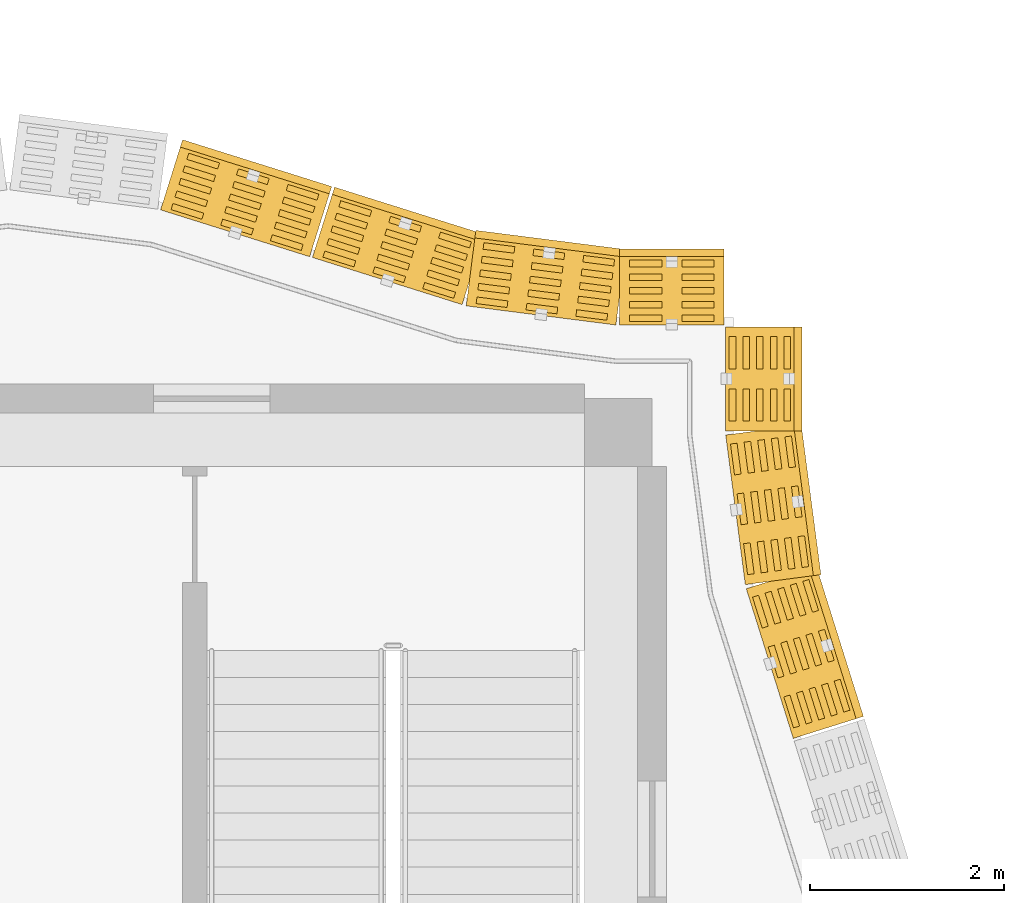
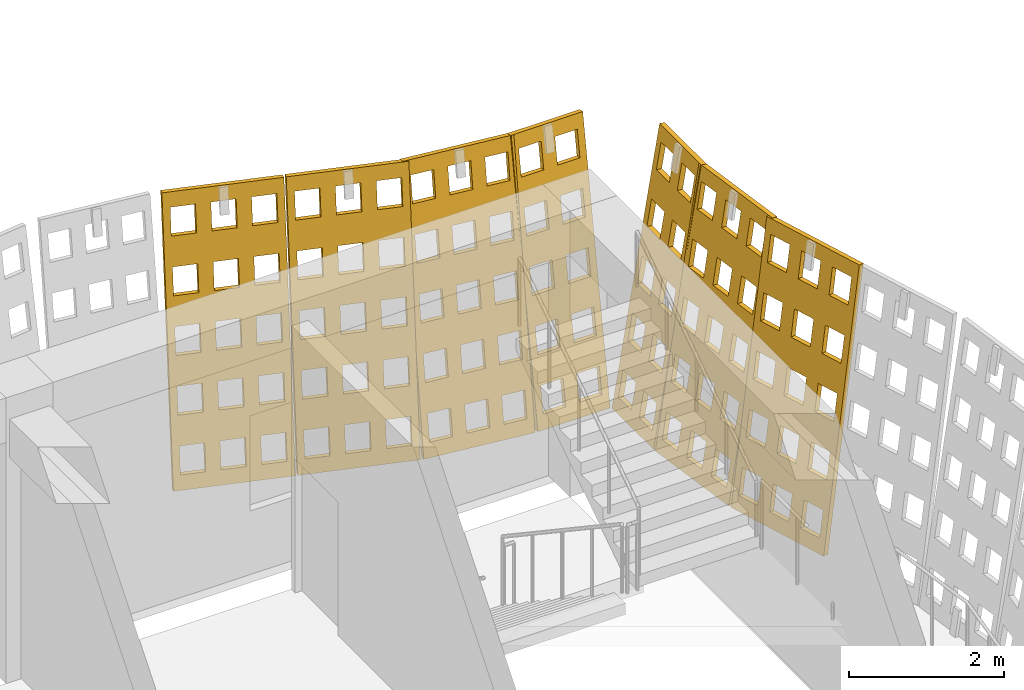
# One storey, part 163 of 163: 7 coverings.
"""IFC4 building model written with IfcOpenShell, lengths in metres."""

import ifcopenshell
import ifcopenshell.guid

model = None  # the IFC model being written
_history = None  # IfcOwnerHistory: only IFC2X3 demands one
_inside = {}  # id of a spatial element -> (the spatial element, [elements in it])
_under = {}  # id of a project, library or spatial element -> (it, [spatial elements below it])
_declared = {}  # id of a project -> (the project, [libraries it declares])
_typed = {}  # id of a type object -> (the type object, [elements of that type])
_made_of = {}  # id of a material, layer set ... -> (it, [elements and type objects made of it])


def new_model(schema):
    """Start an empty IFC model of exactly this schema.

    Asked for "IFC4X3", IfcOpenShell would pick the latest addendum, in which some entities
    have other attributes; the version numbers below select the first issue.
    IFC2X3 requires an IfcOwnerHistory on every rooted entity: one is made here for all.
    """
    global model, _history
    if schema == "IFC4X3":
        model = ifcopenshell.file(schema_version=(4, 3, 0, 0))
    else:
        model = ifcopenshell.file(schema=schema)
    _inside.clear()
    _under.clear()
    _declared.clear()
    _typed.clear()
    _made_of.clear()
    _history = None
    if model.schema == "IFC2X3":
        org = make("IfcOrganization", Name="unknown")
        user = make(
            "IfcPersonAndOrganization",
            ThePerson=make("IfcPerson", FamilyName="unknown"),
            TheOrganization=org,
        )
        app = make(
            "IfcApplication",
            ApplicationDeveloper=org,
            Version="unknown",
            ApplicationFullName="unknown",
            ApplicationIdentifier="unknown",
        )
        _history = make(
            "IfcOwnerHistory",
            OwningUser=user,
            OwningApplication=app,
            ChangeAction="ADDED",
            CreationDate=0,
        )
    return model


def make(cls, **values):
    """One entity of the class cls with the attributes given. An attribute that is None is left unset."""
    return model.create_entity(
        cls, **{name: value for name, value in values.items() if value is not None}
    )


def rooted(cls, **values):
    """An entity with a GlobalId (a new one), such as an element, a storey or a relation."""
    return make(cls, GlobalId=ifcopenshell.guid.new(), OwnerHistory=_history, **values)


def si_unit(unit_type, name, prefix=None):
    """IfcSIUnit, for example si_unit("LENGTHUNIT", "METRE", prefix="MILLI")."""
    return make("IfcSIUnit", UnitType=unit_type, Prefix=prefix, Name=name)


def assignment(units):
    """IfcUnitAssignment: the units of a project."""
    return None if units is None else make("IfcUnitAssignment", Units=units)


def point(xyz):
    """IfcCartesianPoint."""
    return None if xyz is None else make("IfcCartesianPoint", Coordinates=xyz)


def direction(xyz):
    """IfcDirection."""
    return None if xyz is None else make("IfcDirection", DirectionRatios=xyz)


def frame(location, z_axis=None, x_axis=None):
    """IfcAxis2Placement3D, a coordinate frame: its origin and axes. An axis left out is left unset."""
    return make(
        "IfcAxis2Placement3D",
        Location=point(location),
        Axis=direction(z_axis),
        RefDirection=direction(x_axis),
    )


def origin():
    """The frame at (0, 0, 0) with its axes left unset."""
    return frame((0.0, 0.0, 0.0))


def place(relative_to, where):
    """IfcLocalPlacement: puts the frame where relative to a parent placement (None: the world)."""
    return make(
        "IfcLocalPlacement", PlacementRelTo=relative_to, RelativePlacement=where
    )


def context(
    kind, dimensions, precision=None, world=None, true_north=None, identifier=None
):
    """IfcGeometricRepresentationContext, for example the 3D "Model" context."""
    return make(
        "IfcGeometricRepresentationContext",
        ContextIdentifier=identifier,
        ContextType=kind,
        CoordinateSpaceDimension=dimensions,
        Precision=precision,
        WorldCoordinateSystem=world,
        TrueNorth=true_north,
    )


def subcontext(parent, identifier, kind, view, scale=None):
    """IfcGeometricRepresentationSubContext, for example "Body" below "Model"."""
    return make(
        "IfcGeometricRepresentationSubContext",
        ContextIdentifier=identifier,
        ContextType=kind,
        ParentContext=parent,
        TargetScale=scale,
        TargetView=view,
    )


def project(units=None, contexts=None):
    """IfcProject with its units and contexts."""
    return rooted(
        "IfcProject",
        Name="project",
        RepresentationContexts=contexts,
        UnitsInContext=assignment(units),
    )


def spatial(cls, under=None, at=None, **own):
    """A site, building, storey or space (cls), placed at a placement, below another one or the project."""
    s = rooted(cls, ObjectPlacement=at, **own)
    if under is not None:
        _under.setdefault(under.id(), (under, []))[1].append(s)
    return s


def polyline(points):
    """IfcPolyline through the points."""
    return make("IfcPolyline", Points=[point(p) for p in points])


def outline(outer, holes=None, kind="AREA"):
    """IfcArbitraryClosedProfileDef: a profile drawn as a closed curve; with holes, ...WithVoids."""
    if holes is None:
        return make("IfcArbitraryClosedProfileDef", ProfileType=kind, OuterCurve=outer)
    return make(
        "IfcArbitraryProfileDefWithVoids",
        ProfileType=kind,
        OuterCurve=outer,
        InnerCurves=holes,
    )


def extrude(swept, where, along, depth):
    """IfcExtrudedAreaSolid: the profile swept, set in the frame where, extruded along a direction by depth."""
    return make(
        "IfcExtrudedAreaSolid",
        SweptArea=swept,
        Position=where,
        ExtrudedDirection=direction(along),
        Depth=depth,
    )


def shape(context_of_items, identifier, shape_type, items):
    """IfcShapeRepresentation: the items that make up one representation, for example the "Body"."""
    return make(
        "IfcShapeRepresentation",
        ContextOfItems=context_of_items,
        RepresentationIdentifier=identifier,
        RepresentationType=shape_type,
        Items=items,
    )


def material(Name=None, Category=None):
    """IfcMaterial."""
    return make("IfcMaterial", Name=Name, Category=Category)


def layer(
    of_material, thickness, ventilated=None, Name=None, Category=None, Priority=None
):
    """IfcMaterialLayer: one layer of a wall or slab, of a material (None: an air gap)."""
    return make(
        "IfcMaterialLayer",
        Material=of_material,
        LayerThickness=thickness,
        IsVentilated=ventilated,
        Name=Name,
        Category=Category,
        Priority=Priority,
    )


def layer_set(layers, Name=None):
    """IfcMaterialLayerSet."""
    return make("IfcMaterialLayerSet", MaterialLayers=layers, LayerSetName=Name)


def made_of(thing, what):
    """Note that an element or type object is made of a material, layer set ...; save() writes the relation."""
    if what is not None:
        _made_of.setdefault(what.id(), (what, []))[1].append(thing)
    return thing


def type_object(cls, material=None, **own):
    """A type object (cls), such as IfcWallType, which elements share."""
    return made_of(rooted(cls, **own), material)


def element(
    cls,
    number,
    at=None,
    inside=None,
    cuts=None,
    type_object=None,
    material=None,
    context=None,
    identifier="Body",
    shape_type=None,
    held_by="IfcProductDefinitionShape",
    body=None,
    shapes=None,
    **own,
):
    """One element of the class cls, such as IfcWall. Its Tag is "e" and its number.

    at: its placement. inside: the storey or other place that contains it. cuts: it is an
    opening in that element (IfcRelVoidsElement). A single representation is given by context,
    identifier, shape_type and body (its items); several are given by shapes. held_by: the class
    of the entity that holds the representations. save() writes the other relations.
    """
    e = rooted(cls, Tag="e%d" % number, ObjectPlacement=at, **own)
    if body is not None:
        shapes = [shape(context, identifier, shape_type, body)]
    if shapes is not None:
        e.Representation = make(held_by, Representations=shapes)
    if inside is not None:
        _inside.setdefault(inside.id(), (inside, []))[1].append(e)
    if cuts is not None:
        rooted(
            "IfcRelVoidsElement", RelatingBuildingElement=cuts, RelatedOpeningElement=e
        )
    if type_object is not None:
        _typed.setdefault(type_object.id(), (type_object, []))[1].append(e)
    return made_of(e, material)


def aggregate(whole, parts):
    """IfcRelAggregates: a whole, such as a stair, and the parts it consists of."""
    return rooted("IfcRelAggregates", RelatingObject=whole, RelatedObjects=parts)


def save(model, path):
    """Write the relations noted so far, then the file.

    IfcRelAggregates (storeys below a building ...), IfcRelContainedInSpatialStructure (elements
    in a storey), IfcRelDefinesByType, IfcRelAssociatesMaterial and IfcRelDeclares: one each for
    every whole, place, type object, material and project.
    """
    for whole, parts in _under.values():
        aggregate(whole, parts)
    for where, things in _inside.values():
        rooted(
            "IfcRelContainedInSpatialStructure",
            RelatedElements=things,
            RelatingStructure=where,
        )
    for kind, things in _typed.values():
        rooted("IfcRelDefinesByType", RelatedObjects=things, RelatingType=kind)
    for what, things in _made_of.values():
        rooted("IfcRelAssociatesMaterial", RelatedObjects=things, RelatingMaterial=what)
    for by, libraries in _declared.values():
        rooted("IfcRelDeclares", RelatingContext=by, RelatedDefinitions=libraries)
    model.write(path)


model = new_model("IFC4")

# Units and contexts
model_context = context("Model", 3, precision=1e-05, world=origin(), true_north=direction((0.0, 1.0)))
body_context = subcontext(model_context, "Body", "Model", "MODEL_VIEW")
ifc_project = project(units=[si_unit("LENGTHUNIT", "METRE"), si_unit("AREAUNIT", "SQUARE_METRE"), si_unit("VOLUMEUNIT", "CUBIC_METRE"), si_unit("PLANEANGLEUNIT", "RADIAN"), si_unit("MASSUNIT", "GRAM", prefix="KILO")], contexts=[model_context])

# Site, building, storey
site_placement = place(None, origin())
site = spatial("IfcSite", under=ifc_project, at=site_placement, CompositionType="ELEMENT")
building_placement = place(site_placement, origin())
building = spatial("IfcBuilding", under=site, at=building_placement, Name="Rain Tree Exposition and Congress Centre", CompositionType="ELEMENT")
storey_placement = place(building_placement, frame((0.0, 0.0, 10.5)))
storey = spatial("IfcBuildingStorey", under=building, at=storey_placement, Name="L02", CompositionType="ELEMENT", Elevation=10.5)

# Coverings
ifc_material = material(Name="Perforated terracotta", Category="masonry")
ifc_layer = layer(ifc_material, 0.080078125)
ifc_layer_set = layer_set([ifc_layer], Name="Perforated terracotta")
covering_type = type_object("IfcCoveringType", Name="Terracotta screen 80", PredefinedType="CLADDING", material=ifc_layer_set)
covering_1_placement = place(storey_placement, frame((52.28759765625, 47.25, 0.0), z_axis=(-0.942029390639, -0.295717964052, 0.158529217842), x_axis=(0.29950542383, -0.954094597562, 0.0)))
element("IfcCovering", 1, at=covering_1_placement, inside=storey, type_object=covering_type, Name="wing/screen/L02/065", PredefinedType="CLADDING", context=body_context, shape_type="SweptSolid", body=[
    extrude(outline(polyline([(-1.635986328125, 0.0), (-1.635986328125, 4.291259765625), (-0.014892578125, 4.291259765625), (-0.014892578125, 0.0), (-1.635986328125, 0.0)]), holes=[polyline([(-0.11767578125, 0.221435546875), (-0.11767578125, 0.63671875), (-0.45263671875, 0.63671875), (-0.45263671875, 0.221435546875), (-0.11767578125, 0.221435546875)]), polyline([(-0.11767578125, 1.07958984375), (-0.11767578125, 1.4951171875), (-0.45263671875, 1.4951171875), (-0.45263671875, 1.07958984375), (-0.11767578125, 1.07958984375)]), polyline([(-0.11767578125, 1.93798828125), (-0.11767578125, 2.353271484375), (-0.45263671875, 2.353271484375), (-0.45263671875, 1.93798828125), (-0.11767578125, 1.93798828125)]), polyline([(-0.11767578125, 2.796142578125), (-0.11767578125, 3.21142578125), (-0.45263671875, 3.21142578125), (-0.45263671875, 2.796142578125), (-0.11767578125, 2.796142578125)]), polyline([(-0.11767578125, 3.654541015625), (-0.11767578125, 4.06982421875), (-0.45263671875, 4.06982421875), (-0.45263671875, 3.654541015625), (-0.11767578125, 3.654541015625)]), polyline([(-0.657958984375, 0.221435546875), (-0.657958984375, 0.63671875), (-0.992919921875, 0.63671875), (-0.992919921875, 0.221435546875), (-0.657958984375, 0.221435546875)]), polyline([(-0.657958984375, 1.07958984375), (-0.657958984375, 1.4951171875), (-0.992919921875, 1.4951171875), (-0.992919921875, 1.07958984375), (-0.657958984375, 1.07958984375)]), polyline([(-0.657958984375, 1.93798828125), (-0.657958984375, 2.353271484375), (-0.992919921875, 2.353271484375), (-0.992919921875, 1.93798828125), (-0.657958984375, 1.93798828125)]), polyline([(-0.657958984375, 2.796142578125), (-0.657958984375, 3.21142578125), (-0.992919921875, 3.21142578125), (-0.992919921875, 2.796142578125), (-0.657958984375, 2.796142578125)]), polyline([(-0.657958984375, 3.654541015625), (-0.657958984375, 4.06982421875), (-0.992919921875, 4.06982421875), (-0.992919921875, 3.654541015625), (-0.657958984375, 3.654541015625)]), polyline([(-1.1982421875, 0.221435546875), (-1.1982421875, 0.63671875), (-1.533203125, 0.63671875), (-1.533203125, 0.221435546875), (-1.1982421875, 0.221435546875)]), polyline([(-1.1982421875, 1.07958984375), (-1.1982421875, 1.4951171875), (-1.533203125, 1.4951171875), (-1.533203125, 1.07958984375), (-1.1982421875, 1.07958984375)]), polyline([(-1.1982421875, 1.93798828125), (-1.1982421875, 2.353271484375), (-1.533203125, 2.353271484375), (-1.533203125, 1.93798828125), (-1.1982421875, 1.93798828125)]), polyline([(-1.1982421875, 2.796142578125), (-1.1982421875, 3.21142578125), (-1.533203125, 3.21142578125), (-1.533203125, 2.796142578125), (-1.1982421875, 2.796142578125)]), polyline([(-1.1982421875, 3.654541015625), (-1.1982421875, 4.06982421875), (-1.533203125, 4.06982421875), (-1.533203125, 3.654541015625), (-1.1982421875, 3.654541015625)])]), origin(), (0.0, 0.0, 1.0), 0.080078125),
])
covering_2_placement = place(storey_placement, frame((51.79248046875, 48.824951171875, 0.0), z_axis=(-0.9779030419, -0.128349774249, 0.165021138321), x_axis=(0.130133906157, -0.991496427865, 0.0)))
element("IfcCovering", 2, at=covering_2_placement, inside=storey, type_object=covering_type, Name="wing/screen/L02/066", PredefinedType="CLADDING", context=body_context, shape_type="SweptSolid", body=[
    extrude(outline(polyline([(-1.5732421875, 0.0), (-1.5732421875, 4.295166015625), (-0.014892578125, 4.295166015625), (-0.014892578125, 0.0), (-1.5732421875, 0.0)]), holes=[polyline([(-0.11376953125, 0.2216796875), (-0.11376953125, 0.63720703125), (-0.435791015625, 0.63720703125), (-0.435791015625, 0.2216796875), (-0.11376953125, 0.2216796875)]), polyline([(-0.11376953125, 1.080810546875), (-0.11376953125, 1.496337890625), (-0.435791015625, 1.496337890625), (-0.435791015625, 1.080810546875), (-0.11376953125, 1.080810546875)]), polyline([(-0.11376953125, 1.939697265625), (-0.11376953125, 2.35546875), (-0.435791015625, 2.35546875), (-0.435791015625, 1.939697265625), (-0.11376953125, 1.939697265625)]), polyline([(-0.11376953125, 2.798583984375), (-0.11376953125, 3.21435546875), (-0.435791015625, 3.21435546875), (-0.435791015625, 2.798583984375), (-0.11376953125, 2.798583984375)]), polyline([(-0.11376953125, 3.65771484375), (-0.11376953125, 4.073486328125), (-0.435791015625, 4.073486328125), (-0.435791015625, 3.65771484375), (-0.11376953125, 3.65771484375)]), polyline([(-0.633056640625, 0.2216796875), (-0.633056640625, 0.63720703125), (-0.955078125, 0.63720703125), (-0.955078125, 0.2216796875), (-0.633056640625, 0.2216796875)]), polyline([(-0.633056640625, 1.080810546875), (-0.633056640625, 1.496337890625), (-0.955078125, 1.496337890625), (-0.955078125, 1.080810546875), (-0.633056640625, 1.080810546875)]), polyline([(-0.633056640625, 1.939697265625), (-0.633056640625, 2.35546875), (-0.955078125, 2.35546875), (-0.955078125, 1.939697265625), (-0.633056640625, 1.939697265625)]), polyline([(-0.633056640625, 2.798583984375), (-0.633056640625, 3.21435546875), (-0.955078125, 3.21435546875), (-0.955078125, 2.798583984375), (-0.633056640625, 2.798583984375)]), polyline([(-0.633056640625, 3.65771484375), (-0.633056640625, 4.073486328125), (-0.955078125, 4.073486328125), (-0.955078125, 3.65771484375), (-0.633056640625, 3.65771484375)]), polyline([(-1.152587890625, 0.2216796875), (-1.152587890625, 0.63720703125), (-1.474609375, 0.63720703125), (-1.474609375, 0.2216796875), (-1.152587890625, 0.2216796875)]), polyline([(-1.152587890625, 1.080810546875), (-1.152587890625, 1.496337890625), (-1.474609375, 1.496337890625), (-1.474609375, 1.080810546875), (-1.152587890625, 1.080810546875)]), polyline([(-1.152587890625, 1.939697265625), (-1.152587890625, 2.35546875), (-1.474609375, 2.35546875), (-1.474609375, 1.939697265625), (-1.152587890625, 1.939697265625)]), polyline([(-1.152587890625, 2.798583984375), (-1.152587890625, 3.21435546875), (-1.474609375, 3.21435546875), (-1.474609375, 2.798583984375), (-1.152587890625, 2.798583984375)]), polyline([(-1.152587890625, 3.65771484375), (-1.152587890625, 4.073486328125), (-1.474609375, 4.073486328125), (-1.474609375, 3.65771484375), (-1.152587890625, 3.65771484375)])]), origin(), (0.0, 0.0, 1.0), 0.079833984375),
])
covering_3_placement = place(storey_placement, frame((51.587646484375, 50.39990234375, 0.0), z_axis=(-0.986311269939, 0.0, 0.1648941442), x_axis=(0.0, -1.0, 0.0)))
element("IfcCovering", 3, at=covering_3_placement, inside=storey, type_object=covering_type, Name="wing/screen/L02/067", PredefinedType="CLADDING", context=body_context, shape_type="SweptSolid", body=[
    extrude(outline(polyline([(-1.092529296875, 0.0), (-1.092529296875, 4.2958984375), (-0.014892578125, 4.2958984375), (-0.014892578125, 0.0), (-1.092529296875, 0.0)]), holes=[polyline([(-0.117431640625, 0.2216796875), (-0.117431640625, 0.637451171875), (-0.451416015625, 0.637451171875), (-0.451416015625, 0.2216796875), (-0.117431640625, 0.2216796875)]), polyline([(-0.117431640625, 1.080810546875), (-0.117431640625, 1.49658203125), (-0.451416015625, 1.49658203125), (-0.451416015625, 1.080810546875), (-0.117431640625, 1.080810546875)]), polyline([(-0.117431640625, 1.940185546875), (-0.117431640625, 2.355712890625), (-0.451416015625, 2.355712890625), (-0.451416015625, 1.940185546875), (-0.117431640625, 1.940185546875)]), polyline([(-0.117431640625, 2.79931640625), (-0.117431640625, 3.215087890625), (-0.451416015625, 3.215087890625), (-0.451416015625, 2.79931640625), (-0.117431640625, 2.79931640625)]), polyline([(-0.117431640625, 3.658447265625), (-0.117431640625, 4.07421875), (-0.451416015625, 4.07421875), (-0.451416015625, 3.658447265625), (-0.117431640625, 3.658447265625)]), polyline([(-0.65625, 0.2216796875), (-0.65625, 0.637451171875), (-0.990234375, 0.637451171875), (-0.990234375, 0.2216796875), (-0.65625, 0.2216796875)]), polyline([(-0.65625, 1.080810546875), (-0.65625, 1.49658203125), (-0.990234375, 1.49658203125), (-0.990234375, 1.080810546875), (-0.65625, 1.080810546875)]), polyline([(-0.65625, 1.940185546875), (-0.65625, 2.355712890625), (-0.990234375, 2.355712890625), (-0.990234375, 1.940185546875), (-0.65625, 1.940185546875)]), polyline([(-0.65625, 2.79931640625), (-0.65625, 3.215087890625), (-0.990234375, 3.215087890625), (-0.990234375, 2.79931640625), (-0.65625, 2.79931640625)]), polyline([(-0.65625, 3.658447265625), (-0.65625, 4.07421875), (-0.990234375, 4.07421875), (-0.990234375, 3.658447265625), (-0.65625, 3.658447265625)])]), origin(), (0.0, 0.0, 1.0), 0.079833984375),
])
covering_4_placement = place(storey_placement, frame((51.587646484375, 51.587646484375, 0.0), z_axis=(0.0, -0.986311269939, 0.1648941442), x_axis=(1.0, 0.0, 0.0)))
element("IfcCovering", 4, at=covering_4_placement, inside=storey, type_object=covering_type, Name="wing/screen/L02/068", PredefinedType="CLADDING", context=body_context, shape_type="SweptSolid", body=[
    extrude(outline(polyline([(-1.172607421875, 0.0), (-1.172607421875, 4.2958984375), (-0.094970703125, 4.2958984375), (-0.094970703125, 0.0), (-1.172607421875, 0.0)]), holes=[polyline([(-0.197509765625, 0.2216796875), (-0.197509765625, 0.637451171875), (-0.531494140625, 0.637451171875), (-0.531494140625, 0.2216796875), (-0.197509765625, 0.2216796875)]), polyline([(-0.197509765625, 1.080810546875), (-0.197509765625, 1.49658203125), (-0.531494140625, 1.49658203125), (-0.531494140625, 1.080810546875), (-0.197509765625, 1.080810546875)]), polyline([(-0.197509765625, 1.940185546875), (-0.197509765625, 2.355712890625), (-0.531494140625, 2.355712890625), (-0.531494140625, 1.940185546875), (-0.197509765625, 1.940185546875)]), polyline([(-0.197509765625, 2.79931640625), (-0.197509765625, 3.215087890625), (-0.531494140625, 3.215087890625), (-0.531494140625, 2.79931640625), (-0.197509765625, 2.79931640625)]), polyline([(-0.197509765625, 3.658447265625), (-0.197509765625, 4.07421875), (-0.531494140625, 4.07421875), (-0.531494140625, 3.658447265625), (-0.197509765625, 3.658447265625)]), polyline([(-0.736083984375, 0.2216796875), (-0.736083984375, 0.637451171875), (-1.0703125, 0.637451171875), (-1.0703125, 0.2216796875), (-0.736083984375, 0.2216796875)]), polyline([(-0.736083984375, 1.080810546875), (-0.736083984375, 1.49658203125), (-1.0703125, 1.49658203125), (-1.0703125, 1.080810546875), (-0.736083984375, 1.080810546875)]), polyline([(-0.736083984375, 1.940185546875), (-0.736083984375, 2.355712890625), (-1.0703125, 2.355712890625), (-1.0703125, 1.940185546875), (-0.736083984375, 1.940185546875)]), polyline([(-0.736083984375, 2.79931640625), (-0.736083984375, 3.215087890625), (-1.0703125, 3.215087890625), (-1.0703125, 2.79931640625), (-0.736083984375, 2.79931640625)]), polyline([(-0.736083984375, 3.658447265625), (-0.736083984375, 4.07421875), (-1.0703125, 4.07421875), (-1.0703125, 3.658447265625), (-0.736083984375, 3.658447265625)])]), origin(), (0.0, 0.0, 1.0), 0.079833984375),
])
covering_5_placement = place(storey_placement, frame((50.39990234375, 51.587646484375, 0.0), z_axis=(-0.124968640969, -0.978413018317, 0.164592844203), x_axis=(0.991941518713, -0.126696580272, 0.0)))
element("IfcCovering", 5, at=covering_5_placement, inside=storey, type_object=covering_type, Name="wing/screen/L02/069", PredefinedType="CLADDING", context=body_context, shape_type="SweptSolid", body=[
    extrude(outline(polyline([(-1.5732421875, 0.0), (-1.5732421875, 4.295166015625), (-0.014892578125, 4.295166015625), (-0.014892578125, 0.0), (-1.5732421875, 0.0)]), holes=[polyline([(-0.11376953125, 0.2216796875), (-0.11376953125, 0.63720703125), (-0.435791015625, 0.63720703125), (-0.435791015625, 0.2216796875), (-0.11376953125, 0.2216796875)]), polyline([(-0.11376953125, 1.080810546875), (-0.11376953125, 1.496337890625), (-0.435791015625, 1.496337890625), (-0.435791015625, 1.080810546875), (-0.11376953125, 1.080810546875)]), polyline([(-0.11376953125, 1.939697265625), (-0.11376953125, 2.35546875), (-0.435791015625, 2.35546875), (-0.435791015625, 1.939697265625), (-0.11376953125, 1.939697265625)]), polyline([(-0.11376953125, 2.798583984375), (-0.11376953125, 3.21435546875), (-0.435791015625, 3.21435546875), (-0.435791015625, 2.798583984375), (-0.11376953125, 2.798583984375)]), polyline([(-0.11376953125, 3.65771484375), (-0.11376953125, 4.073486328125), (-0.435791015625, 4.073486328125), (-0.435791015625, 3.65771484375), (-0.11376953125, 3.65771484375)]), polyline([(-0.633056640625, 0.2216796875), (-0.633056640625, 0.63720703125), (-0.955078125, 0.63720703125), (-0.955078125, 0.2216796875), (-0.633056640625, 0.2216796875)]), polyline([(-0.633056640625, 1.080810546875), (-0.633056640625, 1.496337890625), (-0.955078125, 1.496337890625), (-0.955078125, 1.080810546875), (-0.633056640625, 1.080810546875)]), polyline([(-0.633056640625, 1.939697265625), (-0.633056640625, 2.35546875), (-0.955078125, 2.35546875), (-0.955078125, 1.939697265625), (-0.633056640625, 1.939697265625)]), polyline([(-0.633056640625, 2.798583984375), (-0.633056640625, 3.21435546875), (-0.955078125, 3.21435546875), (-0.955078125, 2.798583984375), (-0.633056640625, 2.798583984375)]), polyline([(-0.633056640625, 3.65771484375), (-0.633056640625, 4.073486328125), (-0.955078125, 4.073486328125), (-0.955078125, 3.65771484375), (-0.633056640625, 3.65771484375)]), polyline([(-1.152587890625, 0.2216796875), (-1.152587890625, 0.63720703125), (-1.474609375, 0.63720703125), (-1.474609375, 0.2216796875), (-1.152587890625, 0.2216796875)]), polyline([(-1.152587890625, 1.080810546875), (-1.152587890625, 1.496337890625), (-1.474609375, 1.496337890625), (-1.474609375, 1.080810546875), (-1.152587890625, 1.080810546875)]), polyline([(-1.152587890625, 1.939697265625), (-1.152587890625, 2.35546875), (-1.474609375, 2.35546875), (-1.474609375, 1.939697265625), (-1.152587890625, 1.939697265625)]), polyline([(-1.152587890625, 2.798583984375), (-1.152587890625, 3.21435546875), (-1.474609375, 3.21435546875), (-1.474609375, 2.798583984375), (-1.152587890625, 2.798583984375)]), polyline([(-1.152587890625, 3.65771484375), (-1.152587890625, 4.073486328125), (-1.474609375, 4.073486328125), (-1.474609375, 3.65771484375), (-1.152587890625, 3.65771484375)])]), origin(), (0.0, 0.0, 1.0), 0.080078125),
])
covering_6_placement = place(storey_placement, frame((48.824951171875, 51.79248046875, 0.0), z_axis=(-0.296569528658, -0.941684688936, 0.158985726703), x_axis=(0.953816392794, -0.300390227601, 0.0)))
element("IfcCovering", 6, at=covering_6_placement, inside=storey, type_object=covering_type, Name="wing/screen/L02/070", PredefinedType="CLADDING", context=body_context, shape_type="SweptSolid", body=[
    extrude(outline(polyline([(-1.635986328125, 0.0), (-1.635986328125, 4.291259765625), (-0.014892578125, 4.291259765625), (-0.014892578125, 0.0), (-1.635986328125, 0.0)]), holes=[polyline([(-0.11767578125, 0.221435546875), (-0.11767578125, 0.63671875), (-0.45263671875, 0.63671875), (-0.45263671875, 0.221435546875), (-0.11767578125, 0.221435546875)]), polyline([(-0.11767578125, 1.07958984375), (-0.11767578125, 1.4951171875), (-0.45263671875, 1.4951171875), (-0.45263671875, 1.07958984375), (-0.11767578125, 1.07958984375)]), polyline([(-0.11767578125, 1.93798828125), (-0.11767578125, 2.353271484375), (-0.45263671875, 2.353271484375), (-0.45263671875, 1.93798828125), (-0.11767578125, 1.93798828125)]), polyline([(-0.11767578125, 2.796142578125), (-0.11767578125, 3.21142578125), (-0.45263671875, 3.21142578125), (-0.45263671875, 2.796142578125), (-0.11767578125, 2.796142578125)]), polyline([(-0.11767578125, 3.654541015625), (-0.11767578125, 4.06982421875), (-0.45263671875, 4.06982421875), (-0.45263671875, 3.654541015625), (-0.11767578125, 3.654541015625)]), polyline([(-0.657958984375, 0.221435546875), (-0.657958984375, 0.63671875), (-0.992919921875, 0.63671875), (-0.992919921875, 0.221435546875), (-0.657958984375, 0.221435546875)]), polyline([(-0.657958984375, 1.07958984375), (-0.657958984375, 1.4951171875), (-0.992919921875, 1.4951171875), (-0.992919921875, 1.07958984375), (-0.657958984375, 1.07958984375)]), polyline([(-0.657958984375, 1.93798828125), (-0.657958984375, 2.353271484375), (-0.992919921875, 2.353271484375), (-0.992919921875, 1.93798828125), (-0.657958984375, 1.93798828125)]), polyline([(-0.657958984375, 2.796142578125), (-0.657958984375, 3.21142578125), (-0.992919921875, 3.21142578125), (-0.992919921875, 2.796142578125), (-0.657958984375, 2.796142578125)]), polyline([(-0.657958984375, 3.654541015625), (-0.657958984375, 4.06982421875), (-0.992919921875, 4.06982421875), (-0.992919921875, 3.654541015625), (-0.657958984375, 3.654541015625)]), polyline([(-1.1982421875, 0.221435546875), (-1.1982421875, 0.63671875), (-1.533203125, 0.63671875), (-1.533203125, 0.221435546875), (-1.1982421875, 0.221435546875)]), polyline([(-1.1982421875, 1.07958984375), (-1.1982421875, 1.4951171875), (-1.533203125, 1.4951171875), (-1.533203125, 1.07958984375), (-1.1982421875, 1.07958984375)]), polyline([(-1.1982421875, 1.93798828125), (-1.1982421875, 2.353271484375), (-1.533203125, 2.353271484375), (-1.533203125, 1.93798828125), (-1.1982421875, 1.93798828125)]), polyline([(-1.1982421875, 2.796142578125), (-1.1982421875, 3.21142578125), (-1.533203125, 3.21142578125), (-1.533203125, 2.796142578125), (-1.1982421875, 2.796142578125)]), polyline([(-1.1982421875, 3.654541015625), (-1.1982421875, 4.06982421875), (-1.533203125, 4.06982421875), (-1.533203125, 3.654541015625), (-1.1982421875, 3.654541015625)])]), origin(), (0.0, 0.0, 1.0), 0.079833984375),
])
covering_7_placement = place(storey_placement, frame((47.25, 52.28759765625, 0.0), z_axis=(-0.295717964052, -0.942029390639, 0.158529217842), x_axis=(0.954094597562, -0.29950542383, 0.0)))
element("IfcCovering", 7, at=covering_7_placement, inside=storey, type_object=covering_type, Name="wing/screen/L02/071", PredefinedType="CLADDING", context=body_context, shape_type="SweptSolid", body=[
    extrude(outline(polyline([(-1.62890625, 0.0), (-1.62890625, 4.291259765625), (-0.014892578125, 4.291259765625), (-0.014892578125, 0.0), (-1.62890625, 0.0)]), holes=[polyline([(-0.1171875, 0.221435546875), (-0.1171875, 0.63671875), (-0.45068359375, 0.63671875), (-0.45068359375, 0.221435546875), (-0.1171875, 0.221435546875)]), polyline([(-0.1171875, 1.07958984375), (-0.1171875, 1.4951171875), (-0.45068359375, 1.4951171875), (-0.45068359375, 1.07958984375), (-0.1171875, 1.07958984375)]), polyline([(-0.1171875, 1.93798828125), (-0.1171875, 2.353271484375), (-0.45068359375, 2.353271484375), (-0.45068359375, 1.93798828125), (-0.1171875, 1.93798828125)]), polyline([(-0.1171875, 2.796142578125), (-0.1171875, 3.21142578125), (-0.45068359375, 3.21142578125), (-0.45068359375, 2.796142578125), (-0.1171875, 2.796142578125)]), polyline([(-0.1171875, 3.654541015625), (-0.1171875, 4.06982421875), (-0.45068359375, 4.06982421875), (-0.45068359375, 3.654541015625), (-0.1171875, 3.654541015625)]), polyline([(-0.6552734375, 0.221435546875), (-0.6552734375, 0.63671875), (-0.98876953125, 0.63671875), (-0.98876953125, 0.221435546875), (-0.6552734375, 0.221435546875)]), polyline([(-0.6552734375, 1.07958984375), (-0.6552734375, 1.4951171875), (-0.98876953125, 1.4951171875), (-0.98876953125, 1.07958984375), (-0.6552734375, 1.07958984375)]), polyline([(-0.6552734375, 1.93798828125), (-0.6552734375, 2.353271484375), (-0.98876953125, 2.353271484375), (-0.98876953125, 1.93798828125), (-0.6552734375, 1.93798828125)]), polyline([(-0.6552734375, 2.796142578125), (-0.6552734375, 3.21142578125), (-0.98876953125, 3.21142578125), (-0.98876953125, 2.796142578125), (-0.6552734375, 2.796142578125)]), polyline([(-0.6552734375, 3.654541015625), (-0.6552734375, 4.06982421875), (-0.98876953125, 4.06982421875), (-0.98876953125, 3.654541015625), (-0.6552734375, 3.654541015625)]), polyline([(-1.193115234375, 0.221435546875), (-1.193115234375, 0.63671875), (-1.526611328125, 0.63671875), (-1.526611328125, 0.221435546875), (-1.193115234375, 0.221435546875)]), polyline([(-1.193115234375, 1.07958984375), (-1.193115234375, 1.4951171875), (-1.526611328125, 1.4951171875), (-1.526611328125, 1.07958984375), (-1.193115234375, 1.07958984375)]), polyline([(-1.193115234375, 1.93798828125), (-1.193115234375, 2.353271484375), (-1.526611328125, 2.353271484375), (-1.526611328125, 1.93798828125), (-1.193115234375, 1.93798828125)]), polyline([(-1.193115234375, 2.796142578125), (-1.193115234375, 3.21142578125), (-1.526611328125, 3.21142578125), (-1.526611328125, 2.796142578125), (-1.193115234375, 2.796142578125)]), polyline([(-1.193115234375, 3.654541015625), (-1.193115234375, 4.06982421875), (-1.526611328125, 4.06982421875), (-1.526611328125, 3.654541015625), (-1.193115234375, 3.654541015625)])]), origin(), (0.0, 0.0, 1.0), 0.080078125),
])

save(model, "model.ifc")
